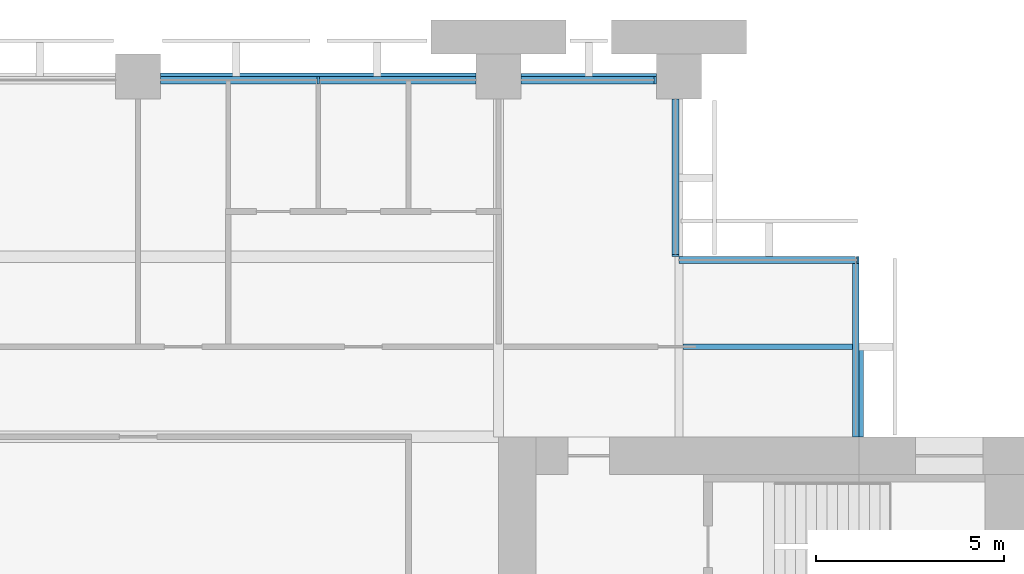
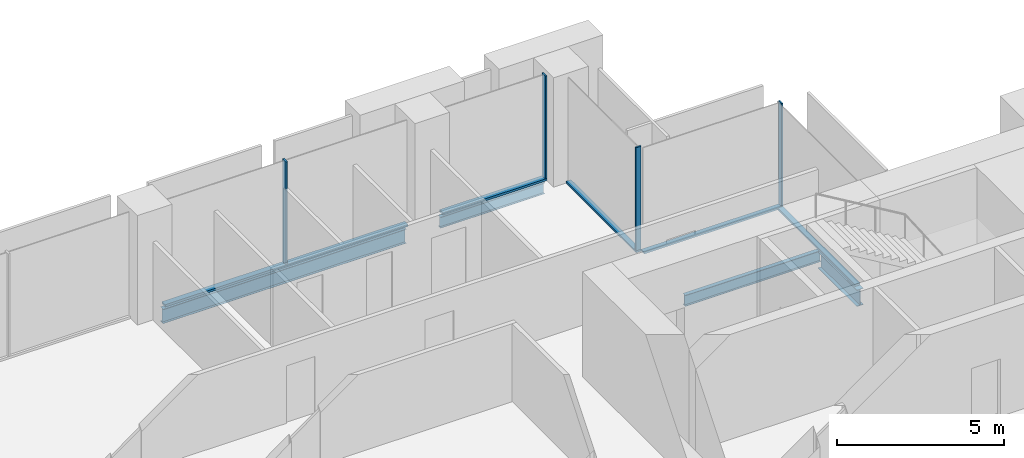
# One storey, part 7 of 14: 9 members, 4 beams, 4 elements without a shape of their own.
"""IFC4 building model written with IfcOpenShell, lengths in metres."""

import ifcopenshell
import ifcopenshell.guid

model = None  # the IFC model being written
_history = None  # IfcOwnerHistory: only IFC2X3 demands one
_inside = {}  # id of a spatial element -> (the spatial element, [elements in it])
_under = {}  # id of a project, library or spatial element -> (it, [spatial elements below it])
_declared = {}  # id of a project -> (the project, [libraries it declares])
_typed = {}  # id of a type object -> (the type object, [elements of that type])
_made_of = {}  # id of a material, layer set ... -> (it, [elements and type objects made of it])


def new_model(schema):
    """Start an empty IFC model of exactly this schema.

    Asked for "IFC4X3", IfcOpenShell would pick the latest addendum, in which some entities
    have other attributes; the version numbers below select the first issue.
    IFC2X3 requires an IfcOwnerHistory on every rooted entity: one is made here for all.
    """
    global model, _history
    if schema == "IFC4X3":
        model = ifcopenshell.file(schema_version=(4, 3, 0, 0))
    else:
        model = ifcopenshell.file(schema=schema)
    _inside.clear()
    _under.clear()
    _declared.clear()
    _typed.clear()
    _made_of.clear()
    _history = None
    if model.schema == "IFC2X3":
        org = make("IfcOrganization", Name="unknown")
        user = make(
            "IfcPersonAndOrganization",
            ThePerson=make("IfcPerson", FamilyName="unknown"),
            TheOrganization=org,
        )
        app = make(
            "IfcApplication",
            ApplicationDeveloper=org,
            Version="unknown",
            ApplicationFullName="unknown",
            ApplicationIdentifier="unknown",
        )
        _history = make(
            "IfcOwnerHistory",
            OwningUser=user,
            OwningApplication=app,
            ChangeAction="ADDED",
            CreationDate=0,
        )
    return model


def make(cls, **values):
    """One entity of the class cls with the attributes given. An attribute that is None is left unset."""
    return model.create_entity(
        cls, **{name: value for name, value in values.items() if value is not None}
    )


def rooted(cls, **values):
    """An entity with a GlobalId (a new one), such as an element, a storey or a relation."""
    return make(cls, GlobalId=ifcopenshell.guid.new(), OwnerHistory=_history, **values)


def si_unit(unit_type, name, prefix=None):
    """IfcSIUnit, for example si_unit("LENGTHUNIT", "METRE", prefix="MILLI")."""
    return make("IfcSIUnit", UnitType=unit_type, Prefix=prefix, Name=name)


def assignment(units):
    """IfcUnitAssignment: the units of a project."""
    return None if units is None else make("IfcUnitAssignment", Units=units)


def point(xyz):
    """IfcCartesianPoint."""
    return None if xyz is None else make("IfcCartesianPoint", Coordinates=xyz)


def direction(xyz):
    """IfcDirection."""
    return None if xyz is None else make("IfcDirection", DirectionRatios=xyz)


def frame(location, z_axis=None, x_axis=None):
    """IfcAxis2Placement3D, a coordinate frame: its origin and axes. An axis left out is left unset."""
    return make(
        "IfcAxis2Placement3D",
        Location=point(location),
        Axis=direction(z_axis),
        RefDirection=direction(x_axis),
    )


def frame_2d(location, x_axis=None):
    """IfcAxis2Placement2D, a coordinate frame in the plane: its origin and x axis."""
    return make(
        "IfcAxis2Placement2D", Location=point(location), RefDirection=direction(x_axis)
    )


def origin():
    """The frame at (0, 0, 0) with its axes left unset."""
    return frame((0.0, 0.0, 0.0))


def origin_2d():
    """The frame at (0, 0) in the plane with its x axis left unset."""
    return frame_2d((0.0, 0.0))


def place(relative_to, where):
    """IfcLocalPlacement: puts the frame where relative to a parent placement (None: the world)."""
    return make(
        "IfcLocalPlacement", PlacementRelTo=relative_to, RelativePlacement=where
    )


def context(
    kind, dimensions, precision=None, world=None, true_north=None, identifier=None
):
    """IfcGeometricRepresentationContext, for example the 3D "Model" context."""
    return make(
        "IfcGeometricRepresentationContext",
        ContextIdentifier=identifier,
        ContextType=kind,
        CoordinateSpaceDimension=dimensions,
        Precision=precision,
        WorldCoordinateSystem=world,
        TrueNorth=true_north,
    )


def subcontext(parent, identifier, kind, view, scale=None):
    """IfcGeometricRepresentationSubContext, for example "Body" below "Model"."""
    return make(
        "IfcGeometricRepresentationSubContext",
        ContextIdentifier=identifier,
        ContextType=kind,
        ParentContext=parent,
        TargetScale=scale,
        TargetView=view,
    )


def project(units=None, contexts=None):
    """IfcProject with its units and contexts."""
    return rooted(
        "IfcProject",
        Name="project",
        RepresentationContexts=contexts,
        UnitsInContext=assignment(units),
    )


def spatial(cls, under=None, at=None, **own):
    """A site, building, storey or space (cls), placed at a placement, below another one or the project."""
    s = rooted(cls, ObjectPlacement=at, **own)
    if under is not None:
        _under.setdefault(under.id(), (under, []))[1].append(s)
    return s


def profile(cls, at=None, kind="AREA", **sizes):
    """A parametric profile (cls). Its sizes go by their IFC names, for example OverallWidth=200.0."""
    return make(cls, ProfileType=kind, Position=at, **sizes)


def rectangle(**sizes):
    """IfcRectangleProfileDef."""
    return profile("IfcRectangleProfileDef", **sizes)


def i_section(**sizes):
    """IfcIShapeProfileDef."""
    return profile("IfcIShapeProfileDef", **sizes)


def extrude(swept, where, along, depth):
    """IfcExtrudedAreaSolid: the profile swept, set in the frame where, extruded along a direction by depth."""
    return make(
        "IfcExtrudedAreaSolid",
        SweptArea=swept,
        Position=where,
        ExtrudedDirection=direction(along),
        Depth=depth,
    )


def shape(context_of_items, identifier, shape_type, items):
    """IfcShapeRepresentation: the items that make up one representation, for example the "Body"."""
    return make(
        "IfcShapeRepresentation",
        ContextOfItems=context_of_items,
        RepresentationIdentifier=identifier,
        RepresentationType=shape_type,
        Items=items,
    )


def material(Name=None, Category=None):
    """IfcMaterial."""
    return make("IfcMaterial", Name=Name, Category=Category)


def material_profile(
    of_material, cross_section, Name=None, Category=None, Priority=None
):
    """IfcMaterialProfile: a cross section and its material."""
    return make(
        "IfcMaterialProfile",
        Name=Name,
        Material=of_material,
        Profile=cross_section,
        Priority=Priority,
        Category=Category,
    )


def profile_set(profiles, Name=None, composite=None):
    """IfcMaterialProfileSet."""
    return make(
        "IfcMaterialProfileSet",
        Name=Name,
        MaterialProfiles=profiles,
        CompositeProfile=composite,
    )


def made_of(thing, what):
    """Note that an element or type object is made of a material, layer set ...; save() writes the relation."""
    if what is not None:
        _made_of.setdefault(what.id(), (what, []))[1].append(thing)
    return thing


def type_object(cls, material=None, **own):
    """A type object (cls), such as IfcWallType, which elements share."""
    return made_of(rooted(cls, **own), material)


def element(
    cls,
    number,
    at=None,
    inside=None,
    cuts=None,
    type_object=None,
    material=None,
    context=None,
    identifier="Body",
    shape_type=None,
    held_by="IfcProductDefinitionShape",
    body=None,
    shapes=None,
    **own,
):
    """One element of the class cls, such as IfcWall. Its Tag is "e" and its number.

    at: its placement. inside: the storey or other place that contains it. cuts: it is an
    opening in that element (IfcRelVoidsElement). A single representation is given by context,
    identifier, shape_type and body (its items); several are given by shapes. held_by: the class
    of the entity that holds the representations. save() writes the other relations.
    """
    e = rooted(cls, Tag="e%d" % number, ObjectPlacement=at, **own)
    if body is not None:
        shapes = [shape(context, identifier, shape_type, body)]
    if shapes is not None:
        e.Representation = make(held_by, Representations=shapes)
    if inside is not None:
        _inside.setdefault(inside.id(), (inside, []))[1].append(e)
    if cuts is not None:
        rooted(
            "IfcRelVoidsElement", RelatingBuildingElement=cuts, RelatedOpeningElement=e
        )
    if type_object is not None:
        _typed.setdefault(type_object.id(), (type_object, []))[1].append(e)
    return made_of(e, material)


def aggregate(whole, parts):
    """IfcRelAggregates: a whole, such as a stair, and the parts it consists of."""
    return rooted("IfcRelAggregates", RelatingObject=whole, RelatedObjects=parts)


def save(model, path):
    """Write the relations noted so far, then the file.

    IfcRelAggregates (storeys below a building ...), IfcRelContainedInSpatialStructure (elements
    in a storey), IfcRelDefinesByType, IfcRelAssociatesMaterial and IfcRelDeclares: one each for
    every whole, place, type object, material and project.
    """
    for whole, parts in _under.values():
        aggregate(whole, parts)
    for where, things in _inside.values():
        rooted(
            "IfcRelContainedInSpatialStructure",
            RelatedElements=things,
            RelatingStructure=where,
        )
    for kind, things in _typed.values():
        rooted("IfcRelDefinesByType", RelatedObjects=things, RelatingType=kind)
    for what, things in _made_of.values():
        rooted("IfcRelAssociatesMaterial", RelatedObjects=things, RelatingMaterial=what)
    for by, libraries in _declared.values():
        rooted("IfcRelDeclares", RelatingContext=by, RelatedDefinitions=libraries)
    model.write(path)


model = new_model("IFC4")

# Units and contexts
model_context = context("Model", 3, precision=1e-05, world=origin(), true_north=direction((0.0, 1.0)))
body_context = subcontext(model_context, "Body", "Model", "MODEL_VIEW")
ifc_project = project(units=[si_unit("LENGTHUNIT", "METRE"), si_unit("AREAUNIT", "SQUARE_METRE"), si_unit("VOLUMEUNIT", "CUBIC_METRE"), si_unit("PLANEANGLEUNIT", "RADIAN"), si_unit("MASSUNIT", "GRAM", prefix="KILO")], contexts=[model_context])

# Site, building, storey
site_placement = place(None, origin())
site = spatial("IfcSite", under=ifc_project, at=site_placement, CompositionType="ELEMENT")
building_placement = place(site_placement, origin())
building = spatial("IfcBuilding", under=site, at=building_placement, Name="Baori Bourse Tower", CompositionType="ELEMENT")
storey_placement = place(building_placement, frame((0.0, 0.0, 160.10009765625)))
storey = spatial("IfcBuildingStorey", under=building, at=storey_placement, Name="L35", CompositionType="ELEMENT", Elevation=160.10009765625)

# Curtain wall, members
ifc_material_1 = material(Name="Pale anodised aluminium", Category="aluminium")
curtain_wall_type_1 = type_object("IfcCurtainWallType", Name="CW1 Curtain wall", PredefinedType="NOTDEFINED", material=ifc_material_1)
curtain_wall_1_placement = place(storey_placement, origin())
curtain_wall_1 = element("IfcCurtainWall", 1, at=curtain_wall_1_placement, inside=storey, type_object=curtain_wall_type_1, Name="Curtain wall CW1 L35 4", PredefinedType="NOTDEFINED")
ifc_material_2 = material(Name="Pale anodised aluminium", Category="aluminium")
ifc_material_profile_1 = material_profile(ifc_material_2, rectangle(XDim=0.199951171875, YDim=0.06005859375, at=origin_2d()), Name="Mullion 60x200")
ifc_profile_set_1 = profile_set([ifc_material_profile_1], Name="Pale anodised aluminium")
member_type_1 = type_object("IfcMemberType", Name="CW1 Curtain wall mullion", PredefinedType="MULLION", material=ifc_profile_set_1)
member_1_placement = place(storey_placement, frame((42.570068359375, 47.89990234375, 0.079833984375), z_axis=(0.0, 0.0, 1.0), x_axis=(0.0, -1.0, 0.0)))
member_1 = element("IfcMember", 2, at=member_1_placement, type_object=member_type_1, Name="Curtain wall CW1 mullion", PredefinedType="MULLION", context=body_context, shape_type="SweptSolid", body=[
    extrude(rectangle(XDim=0.199951171875, YDim=0.06005859375, at=origin_2d()), origin(), (0.0, 0.0, 1.0), 3.760009765625),
])
member_2_placement = place(storey_placement, frame((33.60009765625, 47.89990234375, 0.079833984375), z_axis=(0.0, 0.0, 1.0), x_axis=(0.0, -1.0, 0.0)))
member_2 = element("IfcMember", 3, at=member_2_placement, type_object=member_type_1, Name="Curtain wall CW1 mullion", PredefinedType="MULLION", context=body_context, shape_type="SweptSolid", body=[
    extrude(rectangle(XDim=0.199951171875, YDim=0.06005859375, at=origin_2d()), origin(), (0.0, 0.0, 1.0), 3.760009765625),
])
ifc_material_3 = material(Name="Pale anodised aluminium", Category="aluminium")
ifc_material_profile_2 = material_profile(ifc_material_3, rectangle(XDim=0.199951171875, YDim=0.080078125, at=origin_2d()), Name="Transom 80x200")
ifc_profile_set_2 = profile_set([ifc_material_profile_2], Name="Pale anodised aluminium")
member_type_2 = type_object("IfcMemberType", Name="CW1 Curtain wall transom", PredefinedType="USERDEFINED", material=ifc_profile_set_2)
member_3_placement = place(storey_placement, frame((42.60009765625, 47.89990234375, 0.039794921875), z_axis=(-1.0, 0.0, 0.0), x_axis=(0.0, -1.0, 0.0)))
member_3 = element("IfcMember", 4, at=member_3_placement, type_object=member_type_2, Name="Curtain wall CW1 sill rail", ObjectType="TRANSOM", PredefinedType="USERDEFINED", context=body_context, shape_type="SweptSolid", body=[
    extrude(rectangle(XDim=0.199951171875, YDim=0.080078125, at=origin_2d()), origin(), (0.0, 0.0, 1.0), 3.60009765625),
])
member_4_placement = place(storey_placement, frame((37.800048828125, 47.89990234375, 0.039794921875), z_axis=(-1.0, 0.0, 0.0), x_axis=(0.0, -1.0, 0.0)))
member_4 = element("IfcMember", 5, at=member_4_placement, type_object=member_type_2, Name="Curtain wall CW1 sill rail", ObjectType="TRANSOM", PredefinedType="USERDEFINED", context=body_context, shape_type="SweptSolid", body=[
    extrude(rectangle(XDim=0.199951171875, YDim=0.080078125, at=origin_2d()), origin(), (0.0, 0.0, 1.0), 8.400146484375),
])
aggregate(curtain_wall_1, [member_3, member_1, member_4, member_2])

# Curtain wall, member
ifc_material_4 = material(Name="Pale anodised aluminium", Category="aluminium")
curtain_wall_type_2 = type_object("IfcCurtainWallType", Name="CW2 Curtain wall", PredefinedType="NOTDEFINED", material=ifc_material_4)
curtain_wall_2_placement = place(storey_placement, origin())
curtain_wall_2 = element("IfcCurtainWall", 6, at=curtain_wall_2_placement, inside=storey, type_object=curtain_wall_type_2, Name="Curtain wall CW2 L35 2", PredefinedType="NOTDEFINED")
ifc_material_5 = material(Name="Pale anodised aluminium", Category="aluminium")
ifc_material_profile_3 = material_profile(ifc_material_5, rectangle(XDim=0.179931640625, YDim=0.054931640625, at=origin_2d()), Name="Mullion 55x180")
ifc_profile_set_3 = profile_set([ifc_material_profile_3], Name="Pale anodised aluminium")
member_type_3 = type_object("IfcMemberType", Name="CW2 Curtain wall mullion", PredefinedType="MULLION", material=ifc_profile_set_3)
member_5_placement = place(storey_placement, frame((47.972412109375, 43.110107421875, 0.06982421875), z_axis=(0.0, 0.0, 1.0), x_axis=(0.0, -1.0, 0.0)))
member_5 = element("IfcMember", 7, at=member_5_placement, type_object=member_type_3, Name="Curtain wall CW2 mullion", PredefinedType="MULLION", context=body_context, shape_type="SweptSolid", body=[
    extrude(rectangle(XDim=0.179931640625, YDim=0.054931640625, at=origin_2d()), origin(), (0.0, 0.0, 1.0), 3.77001953125),
])

curtain_wall_3_placement = place(storey_placement, origin())
curtain_wall_3 = element("IfcCurtainWall", 8, at=curtain_wall_3_placement, inside=storey, type_object=curtain_wall_type_2, Name="Curtain wall CW2 L35 3", PredefinedType="NOTDEFINED")
member_6_placement = place(storey_placement, frame((43.110107421875, 43.2275390625, 0.06982421875), z_axis=(0.0, 0.0, 1.0), x_axis=(-1.0, 0.0, 0.0)))
member_6 = element("IfcMember", 9, at=member_6_placement, type_object=member_type_3, Name="Curtain wall CW2 mullion", PredefinedType="MULLION", context=body_context, shape_type="SweptSolid", body=[
    extrude(rectangle(XDim=0.179931640625, YDim=0.054931640625, at=origin_2d()), origin(), (0.0, 0.0, 1.0), 3.77001953125),
])

curtain_wall_4_placement = place(storey_placement, origin())
curtain_wall_4 = element("IfcCurtainWall", 10, at=curtain_wall_4_placement, inside=storey, type_object=curtain_wall_type_2, Name="Curtain wall CW2 L35 1", PredefinedType="NOTDEFINED")
ifc_material_6 = material(Name="Pale anodised aluminium", Category="aluminium")
ifc_material_profile_4 = material_profile(ifc_material_6, rectangle(XDim=0.179931640625, YDim=0.070068359375, at=origin_2d()), Name="Transom 70x180")
ifc_profile_set_4 = profile_set([ifc_material_profile_4], Name="Pale anodised aluminium")
member_type_4 = type_object("IfcMemberType", Name="CW2 Curtain wall transom", PredefinedType="USERDEFINED", material=ifc_profile_set_4)
member_7_placement = place(storey_placement, frame((47.909912109375, 38.39990234375, 0.034912109375), z_axis=(0.0, 1.0, 0.0), x_axis=(-1.0, 0.0, 0.0)))
member_7 = element("IfcMember", 11, at=member_7_placement, type_object=member_type_4, Name="Curtain wall CW2 sill rail", ObjectType="TRANSOM", PredefinedType="USERDEFINED", context=body_context, shape_type="SweptSolid", body=[
    extrude(rectangle(XDim=0.179931640625, YDim=0.070068359375, at=origin_2d()), origin(), (0.0, 0.0, 1.0), 4.800048828125),
])
aggregate(curtain_wall_4, [member_7])

# Member
member_8_placement = place(storey_placement, frame((48.0, 43.110107421875, 0.034912109375), z_axis=(-1.0, 0.0, 0.0), x_axis=(0.0, -1.0, 0.0)))
member_8 = element("IfcMember", 12, at=member_8_placement, type_object=member_type_4, Name="Curtain wall CW2 sill rail", ObjectType="TRANSOM", PredefinedType="USERDEFINED", context=body_context, shape_type="SweptSolid", body=[
    extrude(rectangle(XDim=0.179931640625, YDim=0.070068359375, at=origin_2d()), origin(), (0.0, 0.0, 1.0), 4.800048828125),
])

aggregate(curtain_wall_2, [member_8, member_5])

member_9_placement = place(storey_placement, frame((43.110107421875, 43.199951171875, 0.034912109375), z_axis=(0.0, 1.0, 0.0), x_axis=(-1.0, 0.0, 0.0)))
member_9 = element("IfcMember", 13, at=member_9_placement, type_object=member_type_4, Name="Curtain wall CW2 sill rail", ObjectType="TRANSOM", PredefinedType="USERDEFINED", context=body_context, shape_type="SweptSolid", body=[
    extrude(rectangle(XDim=0.179931640625, YDim=0.070068359375, at=origin_2d()), origin(), (0.0, 0.0, 1.0), 4.199951171875),
])

aggregate(curtain_wall_3, [member_9, member_6])

# Beams
ifc_material_7 = material(Name="Steel A992 Gr 50", Category="steel")
ifc_material_profile_5 = material_profile(ifc_material_7, i_section(OverallWidth=0.227783203125, OverallDepth=0.60205078125, WebThickness=0.010498046875, FlangeThickness=0.014892578125, at=origin_2d()), Name="W24x68")
ifc_profile_set_5 = profile_set([ifc_material_profile_5], Name="Steel A992 Gr 50")
beam_type_1 = type_object("IfcBeamType", Name="Core bracket W24x68", PredefinedType="BEAM", material=ifc_profile_set_5)
beam_1_placement = place(storey_placement, frame((48.0, 38.39990234375, -0.461181640625), z_axis=(0.0, 1.0, 0.0), x_axis=(-1.0, 0.0, 0.0)))
element("IfcBeam", 14, at=beam_1_placement, inside=storey, type_object=beam_type_1, Name="Core bracket L35", PredefinedType="BEAM", context=body_context, shape_type="SweptSolid", body=[
    extrude(i_section(OverallWidth=0.227783203125, OverallDepth=0.60205078125, WebThickness=0.010498046875, FlangeThickness=0.014892578125, at=origin_2d()), origin(), (0.0, 0.0, 1.0), 2.329833984375),
])
ifc_material_8 = material(Name="Steel A992 Gr 50", Category="steel")
ifc_material_profile_6 = material_profile(ifc_material_8, i_section(OverallWidth=0.140380859375, OverallDepth=0.40380859375, WebThickness=0.007080078125, FlangeThickness=0.01123046875, at=origin_2d()), Name="W16x31")
ifc_profile_set_6 = profile_set([ifc_material_profile_6], Name="Steel A992 Gr 50")
beam_type_2 = type_object("IfcBeamType", Name="Edge beam W16x31", PredefinedType="BEAM", material=ifc_profile_set_6)
beam_2_placement = place(storey_placement, frame((39.0, 48.0, -0.362060546875), z_axis=(1.0, 0.0, 0.0), x_axis=(0.0, 1.0, 0.0)))
element("IfcBeam", 15, at=beam_2_placement, inside=storey, type_object=beam_type_2, Name="Edge beam L35", PredefinedType="BEAM", context=body_context, shape_type="SweptSolid", body=[
    extrude(i_section(OverallWidth=0.140380859375, OverallDepth=0.40380859375, WebThickness=0.007080078125, FlangeThickness=0.01123046875, at=origin_2d()), origin(), (0.0, 0.0, 1.0), 3.60009765625),
])
ifc_material_9 = material(Name="Steel A992 Gr 50", Category="steel")
ifc_material_profile_7 = material_profile(ifc_material_9, i_section(OverallWidth=0.1650390625, OverallDepth=0.52587890625, WebThickness=0.0087890625, FlangeThickness=0.011474609375, at=origin_2d()), Name="W21x44")
ifc_profile_set_7 = profile_set([ifc_material_profile_7], Name="Steel A992 Gr 50")
beam_type_3 = type_object("IfcBeamType", Name="Edge beam W21x44", PredefinedType="BEAM", material=ifc_profile_set_7)
beam_3_placement = place(storey_placement, frame((29.39990234375, 48.0, -0.423095703125), z_axis=(1.0, 0.0, 0.0), x_axis=(0.0, 1.0, 0.0)))
element("IfcBeam", 16, at=beam_3_placement, inside=storey, type_object=beam_type_3, Name="Edge beam L35", PredefinedType="BEAM", context=body_context, shape_type="SweptSolid", body=[
    extrude(i_section(OverallWidth=0.1650390625, OverallDepth=0.52587890625, WebThickness=0.0087890625, FlangeThickness=0.011474609375, at=origin_2d()), origin(), (0.0, 0.0, 1.0), 8.400146484375),
])
ifc_material_10 = material(Name="Steel A992 Gr 50", Category="steel")
ifc_material_profile_8 = material_profile(ifc_material_10, i_section(OverallWidth=0.140380859375, OverallDepth=0.40380859375, WebThickness=0.007080078125, FlangeThickness=0.01123046875, at=origin_2d()), Name="W16x31")
ifc_profile_set_8 = profile_set([ifc_material_profile_8], Name="Steel A992 Gr 50")
beam_type_4 = type_object("IfcBeamType", Name="Trimmer beam W16x31", PredefinedType="BEAM", material=ifc_profile_set_8)
beam_4_placement = place(storey_placement, frame((43.3046875, 40.800048828125, -0.362060546875), z_axis=(1.0, 0.0, 0.0), x_axis=(0.0, 1.0, 0.0)))
element("IfcBeam", 17, at=beam_4_placement, inside=storey, type_object=beam_type_4, Name="Trimmer beam L35", PredefinedType="BEAM", context=body_context, shape_type="SweptSolid", body=[
    extrude(i_section(OverallWidth=0.140380859375, OverallDepth=0.40380859375, WebThickness=0.007080078125, FlangeThickness=0.01123046875, at=origin_2d()), origin(), (0.0, 0.0, 1.0), 4.6953125),
])

save(model, "model.ifc")
